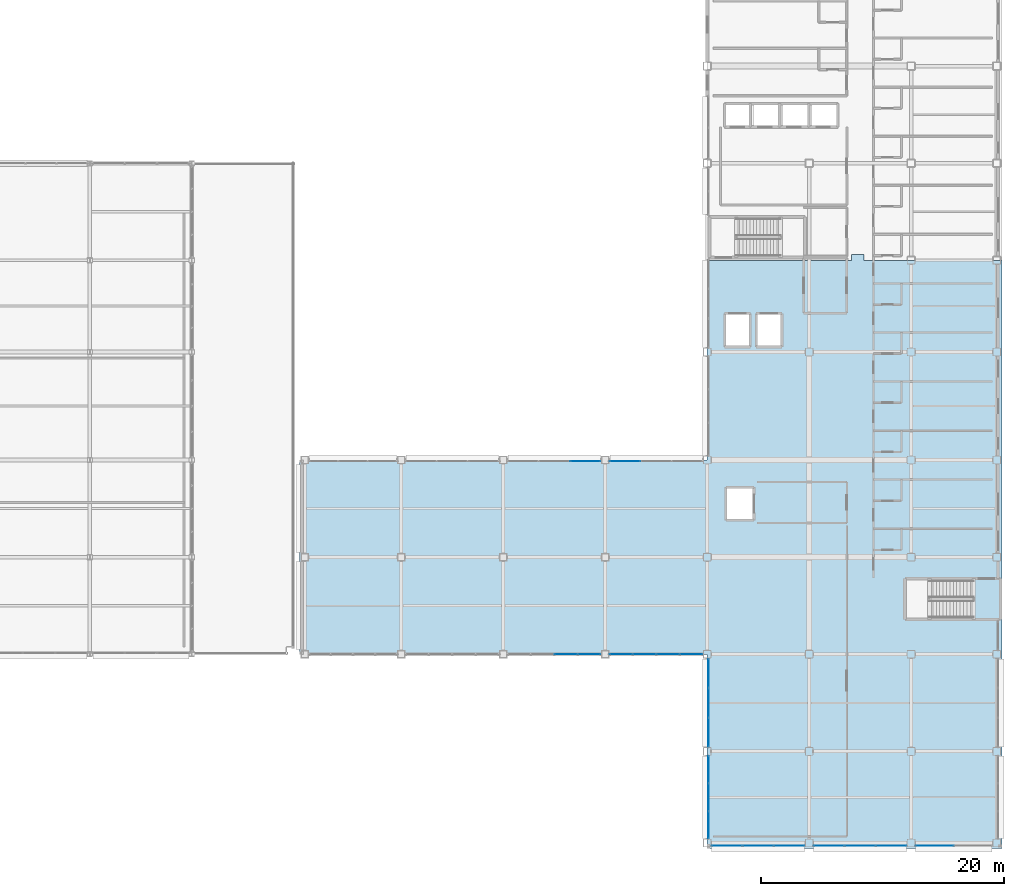
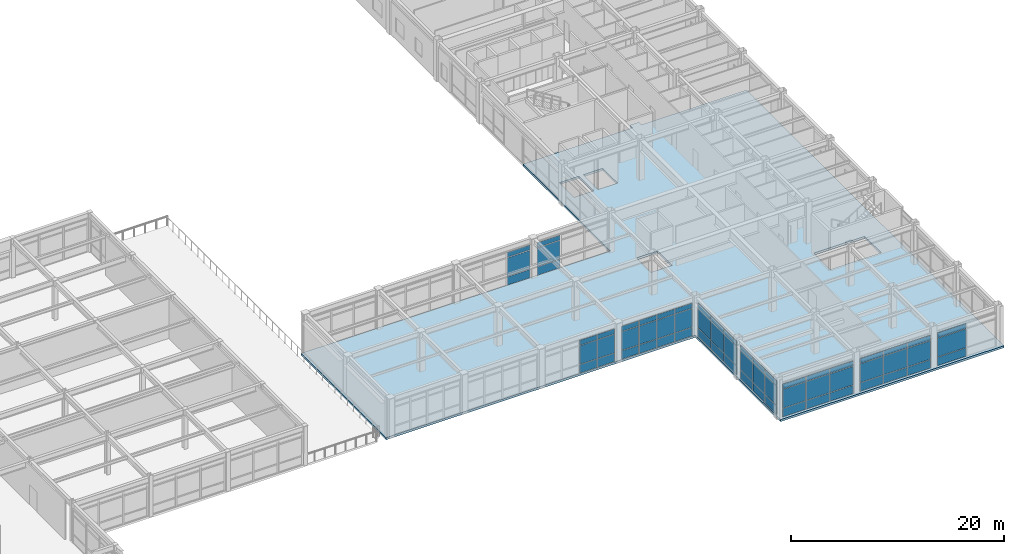
# One storey, part 69 of 93: 63 plates, 1 slab, 9 elements without a shape of their own.
"""IFC4 building model written with IfcOpenShell, lengths in metres."""

from ifc_helpers import new_model, si_unit, direction, frame, origin, origin_2d, place, context, subcontext, project, spatial, polyline, rectangle, outline, extrude, material, layer, layer_set, type_object, element, aggregate, save


model = new_model("IFC4")

# Units and contexts
model_context = context("Model", 3, precision=1e-05, world=origin(), true_north=direction((0.0, 1.0)))
body_context = subcontext(model_context, "Body", "Model", "MODEL_VIEW")
ifc_project = project(units=[si_unit("LENGTHUNIT", "METRE"), si_unit("AREAUNIT", "SQUARE_METRE"), si_unit("VOLUMEUNIT", "CUBIC_METRE"), si_unit("PLANEANGLEUNIT", "RADIAN"), si_unit("MASSUNIT", "GRAM", prefix="KILO")], contexts=[model_context])

# Site, building, storey
site_placement = place(None, origin())
site = spatial("IfcSite", under=ifc_project, at=site_placement, CompositionType="ELEMENT")
building_placement = place(site_placement, origin())
building = spatial("IfcBuilding", under=site, at=building_placement, Name="Kazehara Bluff Congress Hotel", CompositionType="ELEMENT")
storey_placement = place(building_placement, frame((0.0, 0.0, 15.0)))
storey = spatial("IfcBuildingStorey", under=building, at=storey_placement, Name="L03", CompositionType="ELEMENT", Elevation=15.0)

# Curtain wall, plates
ifc_material_1 = material(Name="Anodised aluminium", Category="aluminium")
ifc_layer_1 = layer(ifc_material_1, 0.159912109375)
ifc_layer_set_1 = layer_set([ifc_layer_1], Name="Anodised aluminium")
curtain_wall_type_1 = type_object("IfcCurtainWallType", Name="TP-CW-24", PredefinedType="NOTDEFINED", material=ifc_layer_set_1)
curtain_wall_1_placement = place(storey_placement, origin())
curtain_wall_1 = element("IfcCurtainWall", 1, at=curtain_wall_1_placement, inside=storey, type_object=curtain_wall_type_1, Name="L03 curtain wall CW-24 CW-V5-L03-Y1600-12722", PredefinedType="NOTDEFINED")
ifc_material_2 = material(Name="Insulated low-E double glazing", Category="glass")
ifc_layer_2 = layer(ifc_material_2, 0.028076171875)
ifc_layer_set_2 = layer_set([ifc_layer_2], Name="Insulated low-E double glazing")
plate_type = type_object("IfcPlateType", Name="TP-CWP-01", PredefinedType="CURTAIN_PANEL", material=ifc_layer_set_2)
plate_1_placement = place(storey_placement, frame((132.06884765625, 16.0, 0.06494140625), z_axis=(0.0, 0.0, 1.0), x_axis=(1.0, 0.0, 0.0)))
plate_1 = element("IfcPlate", 2, at=plate_1_placement, type_object=plate_type, Name="CW-24 panel 3.1", PredefinedType="CURTAIN_PANEL", context=body_context, shape_type="SweptSolid", body=[
    extrude(rectangle(XDim=1.87255859375, YDim=0.028076171875, at=origin_2d()), origin(), (0.0, 0.0, 1.0), 0.952392578125),
])
plate_2_placement = place(storey_placement, frame((132.06884765625, 16.0, 1.08251953125), z_axis=(0.0, 0.0, 1.0), x_axis=(1.0, 0.0, 0.0)))
plate_2 = element("IfcPlate", 3, at=plate_2_placement, type_object=plate_type, Name="CW-24 panel 3.2", PredefinedType="CURTAIN_PANEL", context=body_context, shape_type="SweptSolid", body=[
    extrude(rectangle(XDim=1.87255859375, YDim=0.028076171875, at=origin_2d()), origin(), (0.0, 0.0, 1.0), 2.1201171875),
])
plate_3_placement = place(storey_placement, frame((132.06884765625, 16.0, 3.267578125), z_axis=(0.0, 0.0, 1.0), x_axis=(1.0, 0.0, 0.0)))
plate_3 = element("IfcPlate", 4, at=plate_3_placement, type_object=plate_type, Name="CW-24 panel 3.3", PredefinedType="CURTAIN_PANEL", context=body_context, shape_type="SweptSolid", body=[
    extrude(rectangle(XDim=1.87255859375, YDim=0.028076171875, at=origin_2d()), origin(), (0.0, 0.0, 1.0), 0.552490234375),
])
plate_4_placement = place(storey_placement, frame((133.989990234375, 16.0, 0.06494140625), z_axis=(0.0, 0.0, 1.0), x_axis=(1.0, 0.0, 0.0)))
plate_4 = element("IfcPlate", 5, at=plate_4_placement, type_object=plate_type, Name="CW-24 panel 4.1", PredefinedType="CURTAIN_PANEL", context=body_context, shape_type="SweptSolid", body=[
    extrude(rectangle(XDim=1.840087890625, YDim=0.028076171875, at=origin_2d()), origin(), (0.0, 0.0, 1.0), 0.952392578125),
])
plate_5_placement = place(storey_placement, frame((133.989990234375, 16.0, 1.08251953125), z_axis=(0.0, 0.0, 1.0), x_axis=(1.0, 0.0, 0.0)))
plate_5 = element("IfcPlate", 6, at=plate_5_placement, type_object=plate_type, Name="CW-24 panel 4.2", PredefinedType="CURTAIN_PANEL", context=body_context, shape_type="SweptSolid", body=[
    extrude(rectangle(XDim=1.840087890625, YDim=0.028076171875, at=origin_2d()), origin(), (0.0, 0.0, 1.0), 2.1201171875),
])
plate_6_placement = place(storey_placement, frame((133.989990234375, 16.0, 3.267578125), z_axis=(0.0, 0.0, 1.0), x_axis=(1.0, 0.0, 0.0)))
plate_6 = element("IfcPlate", 7, at=plate_6_placement, type_object=plate_type, Name="CW-24 panel 4.3", PredefinedType="CURTAIN_PANEL", context=body_context, shape_type="SweptSolid", body=[
    extrude(rectangle(XDim=1.840087890625, YDim=0.028076171875, at=origin_2d()), origin(), (0.0, 0.0, 1.0), 0.552490234375),
])
aggregate(curtain_wall_1, [plate_1, plate_2, plate_3, plate_4, plate_5, plate_6])

curtain_wall_2_placement = place(storey_placement, origin())
curtain_wall_2 = element("IfcCurtainWall", 8, at=curtain_wall_2_placement, inside=storey, type_object=curtain_wall_type_1, Name="L03 curtain wall CW-24 CW-V5-L03-Y1600-13562", PredefinedType="NOTDEFINED")
plate_7_placement = place(storey_placement, frame((136.610107421875, 16.0, 0.06494140625), z_axis=(0.0, 0.0, 1.0), x_axis=(1.0, 0.0, 0.0)))
plate_7 = element("IfcPlate", 9, at=plate_7_placement, type_object=plate_type, Name="CW-24 panel 1.1", PredefinedType="CURTAIN_PANEL", context=body_context, shape_type="SweptSolid", body=[
    extrude(rectangle(XDim=1.840087890625, YDim=0.028076171875, at=origin_2d()), origin(), (0.0, 0.0, 1.0), 0.952392578125),
])
plate_8_placement = place(storey_placement, frame((136.610107421875, 16.0, 1.08251953125), z_axis=(0.0, 0.0, 1.0), x_axis=(1.0, 0.0, 0.0)))
plate_8 = element("IfcPlate", 10, at=plate_8_placement, type_object=plate_type, Name="CW-24 panel 1.2", PredefinedType="CURTAIN_PANEL", context=body_context, shape_type="SweptSolid", body=[
    extrude(rectangle(XDim=1.840087890625, YDim=0.028076171875, at=origin_2d()), origin(), (0.0, 0.0, 1.0), 2.1201171875),
])
plate_9_placement = place(storey_placement, frame((136.610107421875, 16.0, 3.267578125), z_axis=(0.0, 0.0, 1.0), x_axis=(1.0, 0.0, 0.0)))
plate_9 = element("IfcPlate", 11, at=plate_9_placement, type_object=plate_type, Name="CW-24 panel 1.3", PredefinedType="CURTAIN_PANEL", context=body_context, shape_type="SweptSolid", body=[
    extrude(rectangle(XDim=1.840087890625, YDim=0.028076171875, at=origin_2d()), origin(), (0.0, 0.0, 1.0), 0.552490234375),
])
plate_10_placement = place(storey_placement, frame((138.53125, 16.0, 0.06494140625), z_axis=(0.0, 0.0, 1.0), x_axis=(1.0, 0.0, 0.0)))
plate_10 = element("IfcPlate", 12, at=plate_10_placement, type_object=plate_type, Name="CW-24 panel 2.1", PredefinedType="CURTAIN_PANEL", context=body_context, shape_type="SweptSolid", body=[
    extrude(rectangle(XDim=1.87255859375, YDim=0.028076171875, at=origin_2d()), origin(), (0.0, 0.0, 1.0), 0.952392578125),
])
plate_11_placement = place(storey_placement, frame((138.53125, 16.0, 1.08251953125), z_axis=(0.0, 0.0, 1.0), x_axis=(1.0, 0.0, 0.0)))
plate_11 = element("IfcPlate", 13, at=plate_11_placement, type_object=plate_type, Name="CW-24 panel 2.2", PredefinedType="CURTAIN_PANEL", context=body_context, shape_type="SweptSolid", body=[
    extrude(rectangle(XDim=1.87255859375, YDim=0.028076171875, at=origin_2d()), origin(), (0.0, 0.0, 1.0), 2.1201171875),
])
plate_12_placement = place(storey_placement, frame((138.53125, 16.0, 3.267578125), z_axis=(0.0, 0.0, 1.0), x_axis=(1.0, 0.0, 0.0)))
plate_12 = element("IfcPlate", 14, at=plate_12_placement, type_object=plate_type, Name="CW-24 panel 2.3", PredefinedType="CURTAIN_PANEL", context=body_context, shape_type="SweptSolid", body=[
    extrude(rectangle(XDim=1.87255859375, YDim=0.028076171875, at=origin_2d()), origin(), (0.0, 0.0, 1.0), 0.552490234375),
])
plate_13_placement = place(storey_placement, frame((140.46875, 16.0, 0.06494140625), z_axis=(0.0, 0.0, 1.0), x_axis=(1.0, 0.0, 0.0)))
plate_13 = element("IfcPlate", 15, at=plate_13_placement, type_object=plate_type, Name="CW-24 panel 3.1", PredefinedType="CURTAIN_PANEL", context=body_context, shape_type="SweptSolid", body=[
    extrude(rectangle(XDim=1.87255859375, YDim=0.028076171875, at=origin_2d()), origin(), (0.0, 0.0, 1.0), 0.952392578125),
])
plate_14_placement = place(storey_placement, frame((140.46875, 16.0, 1.08251953125), z_axis=(0.0, 0.0, 1.0), x_axis=(1.0, 0.0, 0.0)))
plate_14 = element("IfcPlate", 16, at=plate_14_placement, type_object=plate_type, Name="CW-24 panel 3.2", PredefinedType="CURTAIN_PANEL", context=body_context, shape_type="SweptSolid", body=[
    extrude(rectangle(XDim=1.87255859375, YDim=0.028076171875, at=origin_2d()), origin(), (0.0, 0.0, 1.0), 2.1201171875),
])
plate_15_placement = place(storey_placement, frame((140.46875, 16.0, 3.267578125), z_axis=(0.0, 0.0, 1.0), x_axis=(1.0, 0.0, 0.0)))
plate_15 = element("IfcPlate", 17, at=plate_15_placement, type_object=plate_type, Name="CW-24 panel 3.3", PredefinedType="CURTAIN_PANEL", context=body_context, shape_type="SweptSolid", body=[
    extrude(rectangle(XDim=1.87255859375, YDim=0.028076171875, at=origin_2d()), origin(), (0.0, 0.0, 1.0), 0.552490234375),
])
plate_16_placement = place(storey_placement, frame((142.389892578125, 16.0, 0.06494140625), z_axis=(0.0, 0.0, 1.0), x_axis=(1.0, 0.0, 0.0)))
plate_16 = element("IfcPlate", 18, at=plate_16_placement, type_object=plate_type, Name="CW-24 panel 4.1", PredefinedType="CURTAIN_PANEL", context=body_context, shape_type="SweptSolid", body=[
    extrude(rectangle(XDim=1.840087890625, YDim=0.028076171875, at=origin_2d()), origin(), (0.0, 0.0, 1.0), 0.952392578125),
])
plate_17_placement = place(storey_placement, frame((142.389892578125, 16.0, 1.08251953125), z_axis=(0.0, 0.0, 1.0), x_axis=(1.0, 0.0, 0.0)))
plate_17 = element("IfcPlate", 19, at=plate_17_placement, type_object=plate_type, Name="CW-24 panel 4.2", PredefinedType="CURTAIN_PANEL", context=body_context, shape_type="SweptSolid", body=[
    extrude(rectangle(XDim=1.840087890625, YDim=0.028076171875, at=origin_2d()), origin(), (0.0, 0.0, 1.0), 2.1201171875),
])
plate_18_placement = place(storey_placement, frame((142.389892578125, 16.0, 3.267578125), z_axis=(0.0, 0.0, 1.0), x_axis=(1.0, 0.0, 0.0)))
plate_18 = element("IfcPlate", 20, at=plate_18_placement, type_object=plate_type, Name="CW-24 panel 4.3", PredefinedType="CURTAIN_PANEL", context=body_context, shape_type="SweptSolid", body=[
    extrude(rectangle(XDim=1.840087890625, YDim=0.028076171875, at=origin_2d()), origin(), (0.0, 0.0, 1.0), 0.552490234375),
])
aggregate(curtain_wall_2, [plate_7, plate_8, plate_9, plate_10, plate_11, plate_12, plate_13, plate_14, plate_15, plate_16, plate_17, plate_18])

curtain_wall_3_placement = place(storey_placement, origin())
curtain_wall_3 = element("IfcCurtainWall", 21, at=curtain_wall_3_placement, inside=storey, type_object=curtain_wall_type_1, Name="L03 curtain wall CW-24 CW-ENC-V5-L03-14790-22", PredefinedType="NOTDEFINED")
plate_19_placement = place(storey_placement, frame((150.467041015625, 0.219970703125, 0.06494140625), z_axis=(0.0, 0.0, 1.0), x_axis=(-1.0, 0.0, 0.0)))
plate_19 = element("IfcPlate", 22, at=plate_19_placement, type_object=plate_type, Name="CW-24 panel 1.1", PredefinedType="CURTAIN_PANEL", context=body_context, shape_type="SweptSolid", body=[
    extrude(rectangle(XDim=2.48583984375, YDim=0.028076171875, at=origin_2d()), origin(), (0.0, 0.0, 1.0), 0.952392578125),
])
plate_20_placement = place(storey_placement, frame((150.467041015625, 0.219970703125, 1.08251953125), z_axis=(0.0, 0.0, 1.0), x_axis=(-1.0, 0.0, 0.0)))
plate_20 = element("IfcPlate", 23, at=plate_20_placement, type_object=plate_type, Name="CW-24 panel 1.2", PredefinedType="CURTAIN_PANEL", context=body_context, shape_type="SweptSolid", body=[
    extrude(rectangle(XDim=2.48583984375, YDim=0.028076171875, at=origin_2d()), origin(), (0.0, 0.0, 1.0), 2.1201171875),
])
plate_21_placement = place(storey_placement, frame((150.467041015625, 0.219970703125, 3.267578125), z_axis=(0.0, 0.0, 1.0), x_axis=(-1.0, 0.0, 0.0)))
plate_21 = element("IfcPlate", 24, at=plate_21_placement, type_object=plate_type, Name="CW-24 panel 1.3", PredefinedType="CURTAIN_PANEL", context=body_context, shape_type="SweptSolid", body=[
    extrude(rectangle(XDim=2.48583984375, YDim=0.028076171875, at=origin_2d()), origin(), (0.0, 0.0, 1.0), 0.552490234375),
])
plate_22_placement = place(storey_placement, frame((147.89990234375, 0.219970703125, 0.06494140625), z_axis=(0.0, 0.0, 1.0), x_axis=(-1.0, 0.0, 0.0)))
plate_22 = element("IfcPlate", 25, at=plate_22_placement, type_object=plate_type, Name="CW-24 panel 2.1", PredefinedType="CURTAIN_PANEL", context=body_context, shape_type="SweptSolid", body=[
    extrude(rectangle(XDim=2.518310546875, YDim=0.028076171875, at=origin_2d()), origin(), (0.0, 0.0, 1.0), 0.952392578125),
])
plate_23_placement = place(storey_placement, frame((147.89990234375, 0.219970703125, 1.08251953125), z_axis=(0.0, 0.0, 1.0), x_axis=(-1.0, 0.0, 0.0)))
plate_23 = element("IfcPlate", 26, at=plate_23_placement, type_object=plate_type, Name="CW-24 panel 2.2", PredefinedType="CURTAIN_PANEL", context=body_context, shape_type="SweptSolid", body=[
    extrude(rectangle(XDim=2.518310546875, YDim=0.028076171875, at=origin_2d()), origin(), (0.0, 0.0, 1.0), 2.1201171875),
])
plate_24_placement = place(storey_placement, frame((147.89990234375, 0.219970703125, 3.267578125), z_axis=(0.0, 0.0, 1.0), x_axis=(-1.0, 0.0, 0.0)))
plate_24 = element("IfcPlate", 27, at=plate_24_placement, type_object=plate_type, Name="CW-24 panel 2.3", PredefinedType="CURTAIN_PANEL", context=body_context, shape_type="SweptSolid", body=[
    extrude(rectangle(XDim=2.518310546875, YDim=0.028076171875, at=origin_2d()), origin(), (0.0, 0.0, 1.0), 0.552490234375),
])
plate_25_placement = place(storey_placement, frame((145.3330078125, 0.219970703125, 0.06494140625), z_axis=(0.0, 0.0, 1.0), x_axis=(-1.0, 0.0, 0.0)))
plate_25 = element("IfcPlate", 28, at=plate_25_placement, type_object=plate_type, Name="CW-24 panel 3.1", PredefinedType="CURTAIN_PANEL", context=body_context, shape_type="SweptSolid", body=[
    extrude(rectangle(XDim=2.48583984375, YDim=0.028076171875, at=origin_2d()), origin(), (0.0, 0.0, 1.0), 0.952392578125),
])
plate_26_placement = place(storey_placement, frame((145.3330078125, 0.219970703125, 1.08251953125), z_axis=(0.0, 0.0, 1.0), x_axis=(-1.0, 0.0, 0.0)))
plate_26 = element("IfcPlate", 29, at=plate_26_placement, type_object=plate_type, Name="CW-24 panel 3.2", PredefinedType="CURTAIN_PANEL", context=body_context, shape_type="SweptSolid", body=[
    extrude(rectangle(XDim=2.48583984375, YDim=0.028076171875, at=origin_2d()), origin(), (0.0, 0.0, 1.0), 2.1201171875),
])
plate_27_placement = place(storey_placement, frame((145.3330078125, 0.219970703125, 3.267578125), z_axis=(0.0, 0.0, 1.0), x_axis=(-1.0, 0.0, 0.0)))
plate_27 = element("IfcPlate", 30, at=plate_27_placement, type_object=plate_type, Name="CW-24 panel 3.3", PredefinedType="CURTAIN_PANEL", context=body_context, shape_type="SweptSolid", body=[
    extrude(rectangle(XDim=2.48583984375, YDim=0.028076171875, at=origin_2d()), origin(), (0.0, 0.0, 1.0), 0.552490234375),
])
aggregate(curtain_wall_3, [plate_19, plate_20, plate_21, plate_22, plate_23, plate_24, plate_25, plate_26, plate_27])

curtain_wall_4_placement = place(storey_placement, origin())
curtain_wall_4 = element("IfcCurtainWall", 31, at=curtain_wall_4_placement, inside=storey, type_object=curtain_wall_type_1, Name="L03 curtain wall CW-24 CW-ENC-V5-L03-15630-22", PredefinedType="NOTDEFINED")
plate_28_placement = place(storey_placement, frame((158.8671875, 0.219970703125, 0.06494140625), z_axis=(0.0, 0.0, 1.0), x_axis=(-1.0, 0.0, 0.0)))
plate_28 = element("IfcPlate", 32, at=plate_28_placement, type_object=plate_type, Name="CW-24 panel 1.1", PredefinedType="CURTAIN_PANEL", context=body_context, shape_type="SweptSolid", body=[
    extrude(rectangle(XDim=2.48583984375, YDim=0.028076171875, at=origin_2d()), origin(), (0.0, 0.0, 1.0), 0.952392578125),
])
plate_29_placement = place(storey_placement, frame((158.8671875, 0.219970703125, 1.08251953125), z_axis=(0.0, 0.0, 1.0), x_axis=(-1.0, 0.0, 0.0)))
plate_29 = element("IfcPlate", 33, at=plate_29_placement, type_object=plate_type, Name="CW-24 panel 1.2", PredefinedType="CURTAIN_PANEL", context=body_context, shape_type="SweptSolid", body=[
    extrude(rectangle(XDim=2.48583984375, YDim=0.028076171875, at=origin_2d()), origin(), (0.0, 0.0, 1.0), 2.1201171875),
])
plate_30_placement = place(storey_placement, frame((158.8671875, 0.219970703125, 3.267578125), z_axis=(0.0, 0.0, 1.0), x_axis=(-1.0, 0.0, 0.0)))
plate_30 = element("IfcPlate", 34, at=plate_30_placement, type_object=plate_type, Name="CW-24 panel 1.3", PredefinedType="CURTAIN_PANEL", context=body_context, shape_type="SweptSolid", body=[
    extrude(rectangle(XDim=2.48583984375, YDim=0.028076171875, at=origin_2d()), origin(), (0.0, 0.0, 1.0), 0.552490234375),
])
plate_31_placement = place(storey_placement, frame((156.300048828125, 0.219970703125, 0.06494140625), z_axis=(0.0, 0.0, 1.0), x_axis=(-1.0, 0.0, 0.0)))
plate_31 = element("IfcPlate", 35, at=plate_31_placement, type_object=plate_type, Name="CW-24 panel 2.1", PredefinedType="CURTAIN_PANEL", context=body_context, shape_type="SweptSolid", body=[
    extrude(rectangle(XDim=2.518310546875, YDim=0.028076171875, at=origin_2d()), origin(), (0.0, 0.0, 1.0), 0.952392578125),
])
plate_32_placement = place(storey_placement, frame((156.300048828125, 0.219970703125, 1.08251953125), z_axis=(0.0, 0.0, 1.0), x_axis=(-1.0, 0.0, 0.0)))
plate_32 = element("IfcPlate", 36, at=plate_32_placement, type_object=plate_type, Name="CW-24 panel 2.2", PredefinedType="CURTAIN_PANEL", context=body_context, shape_type="SweptSolid", body=[
    extrude(rectangle(XDim=2.518310546875, YDim=0.028076171875, at=origin_2d()), origin(), (0.0, 0.0, 1.0), 2.1201171875),
])
plate_33_placement = place(storey_placement, frame((156.300048828125, 0.219970703125, 3.267578125), z_axis=(0.0, 0.0, 1.0), x_axis=(-1.0, 0.0, 0.0)))
plate_33 = element("IfcPlate", 37, at=plate_33_placement, type_object=plate_type, Name="CW-24 panel 2.3", PredefinedType="CURTAIN_PANEL", context=body_context, shape_type="SweptSolid", body=[
    extrude(rectangle(XDim=2.518310546875, YDim=0.028076171875, at=origin_2d()), origin(), (0.0, 0.0, 1.0), 0.552490234375),
])
plate_34_placement = place(storey_placement, frame((153.73291015625, 0.219970703125, 0.06494140625), z_axis=(0.0, 0.0, 1.0), x_axis=(-1.0, 0.0, 0.0)))
plate_34 = element("IfcPlate", 38, at=plate_34_placement, type_object=plate_type, Name="CW-24 panel 3.1", PredefinedType="CURTAIN_PANEL", context=body_context, shape_type="SweptSolid", body=[
    extrude(rectangle(XDim=2.48583984375, YDim=0.028076171875, at=origin_2d()), origin(), (0.0, 0.0, 1.0), 0.952392578125),
])
plate_35_placement = place(storey_placement, frame((153.73291015625, 0.219970703125, 1.08251953125), z_axis=(0.0, 0.0, 1.0), x_axis=(-1.0, 0.0, 0.0)))
plate_35 = element("IfcPlate", 39, at=plate_35_placement, type_object=plate_type, Name="CW-24 panel 3.2", PredefinedType="CURTAIN_PANEL", context=body_context, shape_type="SweptSolid", body=[
    extrude(rectangle(XDim=2.48583984375, YDim=0.028076171875, at=origin_2d()), origin(), (0.0, 0.0, 1.0), 2.1201171875),
])
plate_36_placement = place(storey_placement, frame((153.73291015625, 0.219970703125, 3.267578125), z_axis=(0.0, 0.0, 1.0), x_axis=(-1.0, 0.0, 0.0)))
plate_36 = element("IfcPlate", 40, at=plate_36_placement, type_object=plate_type, Name="CW-24 panel 3.3", PredefinedType="CURTAIN_PANEL", context=body_context, shape_type="SweptSolid", body=[
    extrude(rectangle(XDim=2.48583984375, YDim=0.028076171875, at=origin_2d()), origin(), (0.0, 0.0, 1.0), 0.552490234375),
])
aggregate(curtain_wall_4, [plate_28, plate_29, plate_30, plate_31, plate_32, plate_33, plate_34, plate_35, plate_36])

ifc_material_3 = material(Name="Anodised aluminium", Category="aluminium")
ifc_layer_3 = layer(ifc_material_3, 0.159912109375)
ifc_layer_set_3 = layer_set([ifc_layer_3], Name="Anodised aluminium")
curtain_wall_type_2 = type_object("IfcCurtainWallType", Name="TP-CW-145", PredefinedType="NOTDEFINED", material=ifc_layer_set_3)
curtain_wall_5_placement = place(storey_placement, origin())
curtain_wall_5 = element("IfcCurtainWall", 41, at=curtain_wall_5_placement, inside=storey, type_object=curtain_wall_type_2, Name="L03 curtain wall CW-145 CW-ENC-V5-L03-16402-22", PredefinedType="NOTDEFINED")
plate_37_placement = place(storey_placement, frame((162.43994140625, 0.219970703125, 0.06005859375), z_axis=(0.0, 0.0, 1.0), x_axis=(-1.0, 0.0, 0.0)))
plate_37 = element("IfcPlate", 42, at=plate_37_placement, type_object=plate_type, Name="CW-145 panel 2.1", PredefinedType="CURTAIN_PANEL", context=body_context, shape_type="SweptSolid", body=[
    extrude(rectangle(XDim=3.110107421875, YDim=0.028076171875, at=origin_2d()), origin(), (0.0, 0.0, 1.0), 0.9599609375),
])
plate_38_placement = place(storey_placement, frame((162.43994140625, 0.219970703125, 1.080078125), z_axis=(0.0, 0.0, 1.0), x_axis=(-1.0, 0.0, 0.0)))
plate_38 = element("IfcPlate", 43, at=plate_38_placement, type_object=plate_type, Name="CW-145 panel 2.2", PredefinedType="CURTAIN_PANEL", context=body_context, shape_type="SweptSolid", body=[
    extrude(rectangle(XDim=3.110107421875, YDim=0.028076171875, at=origin_2d()), origin(), (0.0, 0.0, 1.0), 2.125),
])
plate_39_placement = place(storey_placement, frame((162.43994140625, 0.219970703125, 3.264892578125), z_axis=(0.0, 0.0, 1.0), x_axis=(-1.0, 0.0, 0.0)))
plate_39 = element("IfcPlate", 44, at=plate_39_placement, type_object=plate_type, Name="CW-145 panel 2.3", PredefinedType="CURTAIN_PANEL", context=body_context, shape_type="SweptSolid", body=[
    extrude(rectangle(XDim=3.110107421875, YDim=0.028076171875, at=origin_2d()), origin(), (0.0, 0.0, 1.0), 0.56005859375),
])
aggregate(curtain_wall_5, [plate_37, plate_38, plate_39])

curtain_wall_6_placement = place(storey_placement, origin())
curtain_wall_6 = element("IfcCurtainWall", 45, at=curtain_wall_6_placement, inside=storey, type_object=curtain_wall_type_1, Name="L03 curtain wall CW-24 CW-ENC-V5-L03-13110-3190", PredefinedType="NOTDEFINED")
plate_40_placement = place(storey_placement, frame((133.6669921875, 31.89990234375, 0.06494140625), z_axis=(0.0, 0.0, 1.0), x_axis=(1.0, 0.0, 0.0)))
plate_40 = element("IfcPlate", 46, at=plate_40_placement, type_object=plate_type, Name="CW-24 panel 3.1", PredefinedType="CURTAIN_PANEL", context=body_context, shape_type="SweptSolid", body=[
    extrude(rectangle(XDim=2.48583984375, YDim=0.028076171875, at=origin_2d()), origin(), (0.0, 0.0, 1.0), 0.952392578125),
])
plate_41_placement = place(storey_placement, frame((133.6669921875, 31.89990234375, 1.08251953125), z_axis=(0.0, 0.0, 1.0), x_axis=(1.0, 0.0, 0.0)))
plate_41 = element("IfcPlate", 47, at=plate_41_placement, type_object=plate_type, Name="CW-24 panel 3.2", PredefinedType="CURTAIN_PANEL", context=body_context, shape_type="SweptSolid", body=[
    extrude(rectangle(XDim=2.48583984375, YDim=0.028076171875, at=origin_2d()), origin(), (0.0, 0.0, 1.0), 2.1201171875),
])
plate_42_placement = place(storey_placement, frame((133.6669921875, 31.89990234375, 3.267578125), z_axis=(0.0, 0.0, 1.0), x_axis=(1.0, 0.0, 0.0)))
plate_42 = element("IfcPlate", 48, at=plate_42_placement, type_object=plate_type, Name="CW-24 panel 3.3", PredefinedType="CURTAIN_PANEL", context=body_context, shape_type="SweptSolid", body=[
    extrude(rectangle(XDim=2.48583984375, YDim=0.028076171875, at=origin_2d()), origin(), (0.0, 0.0, 1.0), 0.552490234375),
])
aggregate(curtain_wall_6, [plate_40, plate_41, plate_42])

curtain_wall_7_placement = place(storey_placement, origin())
curtain_wall_7 = element("IfcCurtainWall", 49, at=curtain_wall_7_placement, inside=storey, type_object=curtain_wall_type_1, Name="L03 curtain wall CW-24 CW-ENC-V5-L03-13950-3190", PredefinedType="NOTDEFINED")
plate_43_placement = place(storey_placement, frame((136.932861328125, 31.89990234375, 0.06494140625), z_axis=(0.0, 0.0, 1.0), x_axis=(1.0, 0.0, 0.0)))
plate_43 = element("IfcPlate", 50, at=plate_43_placement, type_object=plate_type, Name="CW-24 panel 1.1", PredefinedType="CURTAIN_PANEL", context=body_context, shape_type="SweptSolid", body=[
    extrude(rectangle(XDim=2.48583984375, YDim=0.028076171875, at=origin_2d()), origin(), (0.0, 0.0, 1.0), 0.952392578125),
])
plate_44_placement = place(storey_placement, frame((136.932861328125, 31.89990234375, 1.08251953125), z_axis=(0.0, 0.0, 1.0), x_axis=(1.0, 0.0, 0.0)))
plate_44 = element("IfcPlate", 51, at=plate_44_placement, type_object=plate_type, Name="CW-24 panel 1.2", PredefinedType="CURTAIN_PANEL", context=body_context, shape_type="SweptSolid", body=[
    extrude(rectangle(XDim=2.48583984375, YDim=0.028076171875, at=origin_2d()), origin(), (0.0, 0.0, 1.0), 2.1201171875),
])
plate_45_placement = place(storey_placement, frame((136.932861328125, 31.89990234375, 3.267578125), z_axis=(0.0, 0.0, 1.0), x_axis=(1.0, 0.0, 0.0)))
plate_45 = element("IfcPlate", 52, at=plate_45_placement, type_object=plate_type, Name="CW-24 panel 1.3", PredefinedType="CURTAIN_PANEL", context=body_context, shape_type="SweptSolid", body=[
    extrude(rectangle(XDim=2.48583984375, YDim=0.028076171875, at=origin_2d()), origin(), (0.0, 0.0, 1.0), 0.552490234375),
])
aggregate(curtain_wall_7, [plate_43, plate_44, plate_45])

ifc_material_4 = material(Name="Anodised aluminium", Category="aluminium")
ifc_layer_4 = layer(ifc_material_4, 0.159912109375)
ifc_layer_set_4 = layer_set([ifc_layer_4], Name="Anodised aluminium")
curtain_wall_type_3 = type_object("IfcCurtainWallType", Name="TP-CW-152", PredefinedType="NOTDEFINED", material=ifc_layer_set_4)
curtain_wall_8_placement = place(storey_placement, origin())
curtain_wall_8 = element("IfcCurtainWall", 53, at=curtain_wall_8_placement, inside=storey, type_object=curtain_wall_type_3, Name="L03 curtain wall CW-152 CW-ENC-V5-L03-14380-422", PredefinedType="NOTDEFINED")
plate_46_placement = place(storey_placement, frame((143.800048828125, 1.941162109375, 0.06494140625), z_axis=(0.0, 0.0, 1.0), x_axis=(0.0, 1.0, 0.0)))
plate_46 = element("IfcPlate", 54, at=plate_46_placement, type_object=plate_type, Name="CW-152 panel 1.1", PredefinedType="CURTAIN_PANEL", context=body_context, shape_type="SweptSolid", body=[
    extrude(rectangle(XDim=2.202392578125, YDim=0.028076171875, at=origin_2d()), origin(), (0.0, 0.0, 1.0), 0.952392578125),
])
plate_47_placement = place(storey_placement, frame((143.800048828125, 1.941162109375, 1.08251953125), z_axis=(0.0, 0.0, 1.0), x_axis=(0.0, 1.0, 0.0)))
plate_47 = element("IfcPlate", 55, at=plate_47_placement, type_object=plate_type, Name="CW-152 panel 1.2", PredefinedType="CURTAIN_PANEL", context=body_context, shape_type="SweptSolid", body=[
    extrude(rectangle(XDim=2.202392578125, YDim=0.028076171875, at=origin_2d()), origin(), (0.0, 0.0, 1.0), 2.219970703125),
])
plate_48_placement = place(storey_placement, frame((143.800048828125, 1.941162109375, 3.36767578125), z_axis=(0.0, 0.0, 1.0), x_axis=(0.0, 1.0, 0.0)))
plate_48 = element("IfcPlate", 56, at=plate_48_placement, type_object=plate_type, Name="CW-152 panel 1.3", PredefinedType="CURTAIN_PANEL", context=body_context, shape_type="SweptSolid", body=[
    extrude(rectangle(XDim=2.202392578125, YDim=0.028076171875, at=origin_2d()), origin(), (0.0, 0.0, 1.0), 0.552490234375),
])
plate_49_placement = place(storey_placement, frame((143.800048828125, 4.22509765625, 0.06494140625), z_axis=(0.0, 0.0, 1.0), x_axis=(0.0, 1.0, 0.0)))
plate_49 = element("IfcPlate", 57, at=plate_49_placement, type_object=plate_type, Name="CW-152 panel 2.1", PredefinedType="CURTAIN_PANEL", context=body_context, shape_type="SweptSolid", body=[
    extrude(rectangle(XDim=2.235107421875, YDim=0.028076171875, at=origin_2d()), origin(), (0.0, 0.0, 1.0), 0.952392578125),
])
plate_50_placement = place(storey_placement, frame((143.800048828125, 4.22509765625, 1.08251953125), z_axis=(0.0, 0.0, 1.0), x_axis=(0.0, 1.0, 0.0)))
plate_50 = element("IfcPlate", 58, at=plate_50_placement, type_object=plate_type, Name="CW-152 panel 2.2", PredefinedType="CURTAIN_PANEL", context=body_context, shape_type="SweptSolid", body=[
    extrude(rectangle(XDim=2.235107421875, YDim=0.028076171875, at=origin_2d()), origin(), (0.0, 0.0, 1.0), 2.219970703125),
])
plate_51_placement = place(storey_placement, frame((143.800048828125, 4.22509765625, 3.36767578125), z_axis=(0.0, 0.0, 1.0), x_axis=(0.0, 1.0, 0.0)))
plate_51 = element("IfcPlate", 59, at=plate_51_placement, type_object=plate_type, Name="CW-152 panel 2.3", PredefinedType="CURTAIN_PANEL", context=body_context, shape_type="SweptSolid", body=[
    extrude(rectangle(XDim=2.235107421875, YDim=0.028076171875, at=origin_2d()), origin(), (0.0, 0.0, 1.0), 0.552490234375),
])
plate_52_placement = place(storey_placement, frame((143.800048828125, 6.5087890625, 0.06494140625), z_axis=(0.0, 0.0, 1.0), x_axis=(0.0, 1.0, 0.0)))
plate_52 = element("IfcPlate", 60, at=plate_52_placement, type_object=plate_type, Name="CW-152 panel 3.1", PredefinedType="CURTAIN_PANEL", context=body_context, shape_type="SweptSolid", body=[
    extrude(rectangle(XDim=2.202392578125, YDim=0.028076171875, at=origin_2d()), origin(), (0.0, 0.0, 1.0), 0.952392578125),
])
plate_53_placement = place(storey_placement, frame((143.800048828125, 6.5087890625, 1.08251953125), z_axis=(0.0, 0.0, 1.0), x_axis=(0.0, 1.0, 0.0)))
plate_53 = element("IfcPlate", 61, at=plate_53_placement, type_object=plate_type, Name="CW-152 panel 3.2", PredefinedType="CURTAIN_PANEL", context=body_context, shape_type="SweptSolid", body=[
    extrude(rectangle(XDim=2.202392578125, YDim=0.028076171875, at=origin_2d()), origin(), (0.0, 0.0, 1.0), 2.219970703125),
])
plate_54_placement = place(storey_placement, frame((143.800048828125, 6.5087890625, 3.36767578125), z_axis=(0.0, 0.0, 1.0), x_axis=(0.0, 1.0, 0.0)))
plate_54 = element("IfcPlate", 62, at=plate_54_placement, type_object=plate_type, Name="CW-152 panel 3.3", PredefinedType="CURTAIN_PANEL", context=body_context, shape_type="SweptSolid", body=[
    extrude(rectangle(XDim=2.202392578125, YDim=0.028076171875, at=origin_2d()), origin(), (0.0, 0.0, 1.0), 0.552490234375),
])
aggregate(curtain_wall_8, [plate_46, plate_47, plate_48, plate_49, plate_50, plate_51, plate_52, plate_53, plate_54])

ifc_material_5 = material(Name="Anodised aluminium", Category="aluminium")
ifc_layer_5 = layer(ifc_material_5, 0.159912109375)
ifc_layer_set_5 = layer_set([ifc_layer_5], Name="Anodised aluminium")
curtain_wall_type_4 = type_object("IfcCurtainWallType", Name="TP-CW-153", PredefinedType="NOTDEFINED", material=ifc_layer_set_5)
curtain_wall_9_placement = place(storey_placement, origin())
curtain_wall_9 = element("IfcCurtainWall", 63, at=curtain_wall_9_placement, inside=storey, type_object=curtain_wall_type_4, Name="L03 curtain wall CW-153 CW-ENC-V5-L03-14380-1200", PredefinedType="NOTDEFINED")
plate_55_placement = place(storey_placement, frame((143.800048828125, 9.566162109375, 0.06494140625), z_axis=(0.0, 0.0, 1.0), x_axis=(0.0, 1.0, 0.0)))
plate_55 = element("IfcPlate", 64, at=plate_55_placement, type_object=plate_type, Name="CW-153 panel 1.1", PredefinedType="CURTAIN_PANEL", context=body_context, shape_type="SweptSolid", body=[
    extrude(rectangle(XDim=2.3525390625, YDim=0.028076171875, at=origin_2d()), origin(), (0.0, 0.0, 1.0), 0.952392578125),
])
plate_56_placement = place(storey_placement, frame((143.800048828125, 9.566162109375, 1.08251953125), z_axis=(0.0, 0.0, 1.0), x_axis=(0.0, 1.0, 0.0)))
plate_56 = element("IfcPlate", 65, at=plate_56_placement, type_object=plate_type, Name="CW-153 panel 1.2", PredefinedType="CURTAIN_PANEL", context=body_context, shape_type="SweptSolid", body=[
    extrude(rectangle(XDim=2.3525390625, YDim=0.028076171875, at=origin_2d()), origin(), (0.0, 0.0, 1.0), 2.219970703125),
])
plate_57_placement = place(storey_placement, frame((143.800048828125, 9.566162109375, 3.36767578125), z_axis=(0.0, 0.0, 1.0), x_axis=(0.0, 1.0, 0.0)))
plate_57 = element("IfcPlate", 66, at=plate_57_placement, type_object=plate_type, Name="CW-153 panel 1.3", PredefinedType="CURTAIN_PANEL", context=body_context, shape_type="SweptSolid", body=[
    extrude(rectangle(XDim=2.3525390625, YDim=0.028076171875, at=origin_2d()), origin(), (0.0, 0.0, 1.0), 0.552490234375),
])
plate_58_placement = place(storey_placement, frame((143.800048828125, 12.0, 0.06494140625), z_axis=(0.0, 0.0, 1.0), x_axis=(0.0, 1.0, 0.0)))
plate_58 = element("IfcPlate", 67, at=plate_58_placement, type_object=plate_type, Name="CW-153 panel 2.1", PredefinedType="CURTAIN_PANEL", context=body_context, shape_type="SweptSolid", body=[
    extrude(rectangle(XDim=2.385009765625, YDim=0.028076171875, at=origin_2d()), origin(), (0.0, 0.0, 1.0), 0.952392578125),
])
plate_59_placement = place(storey_placement, frame((143.800048828125, 12.0, 1.08251953125), z_axis=(0.0, 0.0, 1.0), x_axis=(0.0, 1.0, 0.0)))
plate_59 = element("IfcPlate", 68, at=plate_59_placement, type_object=plate_type, Name="CW-153 panel 2.2", PredefinedType="CURTAIN_PANEL", context=body_context, shape_type="SweptSolid", body=[
    extrude(rectangle(XDim=2.385009765625, YDim=0.028076171875, at=origin_2d()), origin(), (0.0, 0.0, 1.0), 2.219970703125),
])
plate_60_placement = place(storey_placement, frame((143.800048828125, 12.0, 3.36767578125), z_axis=(0.0, 0.0, 1.0), x_axis=(0.0, 1.0, 0.0)))
plate_60 = element("IfcPlate", 69, at=plate_60_placement, type_object=plate_type, Name="CW-153 panel 2.3", PredefinedType="CURTAIN_PANEL", context=body_context, shape_type="SweptSolid", body=[
    extrude(rectangle(XDim=2.385009765625, YDim=0.028076171875, at=origin_2d()), origin(), (0.0, 0.0, 1.0), 0.552490234375),
])
plate_61_placement = place(storey_placement, frame((143.800048828125, 14.433837890625, 0.06494140625), z_axis=(0.0, 0.0, 1.0), x_axis=(0.0, 1.0, 0.0)))
plate_61 = element("IfcPlate", 70, at=plate_61_placement, type_object=plate_type, Name="CW-153 panel 3.1", PredefinedType="CURTAIN_PANEL", context=body_context, shape_type="SweptSolid", body=[
    extrude(rectangle(XDim=2.3525390625, YDim=0.028076171875, at=origin_2d()), origin(), (0.0, 0.0, 1.0), 0.952392578125),
])
plate_62_placement = place(storey_placement, frame((143.800048828125, 14.433837890625, 1.08251953125), z_axis=(0.0, 0.0, 1.0), x_axis=(0.0, 1.0, 0.0)))
plate_62 = element("IfcPlate", 71, at=plate_62_placement, type_object=plate_type, Name="CW-153 panel 3.2", PredefinedType="CURTAIN_PANEL", context=body_context, shape_type="SweptSolid", body=[
    extrude(rectangle(XDim=2.3525390625, YDim=0.028076171875, at=origin_2d()), origin(), (0.0, 0.0, 1.0), 2.219970703125),
])
plate_63_placement = place(storey_placement, frame((143.800048828125, 14.433837890625, 3.36767578125), z_axis=(0.0, 0.0, 1.0), x_axis=(0.0, 1.0, 0.0)))
plate_63 = element("IfcPlate", 72, at=plate_63_placement, type_object=plate_type, Name="CW-153 panel 3.3", PredefinedType="CURTAIN_PANEL", context=body_context, shape_type="SweptSolid", body=[
    extrude(rectangle(XDim=2.3525390625, YDim=0.028076171875, at=origin_2d()), origin(), (0.0, 0.0, 1.0), 0.552490234375),
])
aggregate(curtain_wall_9, [plate_55, plate_56, plate_57, plate_58, plate_59, plate_60, plate_61, plate_62, plate_63])

# Slab
ifc_material_6 = material(Name="Concrete C36/45", Category="concrete")
ifc_layer_6 = layer(ifc_material_6, 0.239990234375)
ifc_layer_set_6 = layer_set([ifc_layer_6], Name="Concrete C36/45")
slab_type = type_object("IfcSlabType", Name="TP-SL-240", PredefinedType="FLOOR", material=ifc_layer_set_6)
slab_placement = place(storey_placement, frame((0.0, 0.0, -0.239990234375)))
element("IfcSlab", 73, at=slab_placement, inside=storey, type_object=slab_type, Name="L03 V5 composite floor slab S", PredefinedType="FLOOR", context=body_context, shape_type="SweptSolid", body=[
    extrude(outline(polyline([(143.699951171875, 0.0), (143.699951171875, 16.0), (110.10009765625, 16.0), (110.10009765625, 32.0), (143.699951171875, 32.0), (143.699951171875, 48.449951171875), (155.60009765625, 48.449951171875), (155.60009765625, 48.949951171875), (156.60009765625, 48.949951171875), (156.60009765625, 48.449951171875), (168.0, 48.449951171875), (168.0, 0.0), (143.699951171875, 0.0)]), holes=[polyline([(165.625, 22.10009765625), (160.10009765625, 22.10009765625), (160.10009765625, 19.0), (165.625, 19.0), (165.625, 22.10009765625)]), polyline([(145.14990234375, 41.324951171875), (147.25, 41.324951171875), (147.25, 44.074951171875), (145.14990234375, 44.074951171875), (145.14990234375, 41.324951171875)]), polyline([(147.75, 41.324951171875), (149.85009765625, 41.324951171875), (149.85009765625, 44.074951171875), (147.75, 44.074951171875), (147.75, 41.324951171875)]), polyline([(145.25, 27.050048828125), (147.550048828125, 27.050048828125), (147.550048828125, 29.75), (145.25, 29.75), (145.25, 27.050048828125)])]), origin(), (0.0, 0.0, 1.0), 0.239990234375),
])

save(model, "model.ifc")
